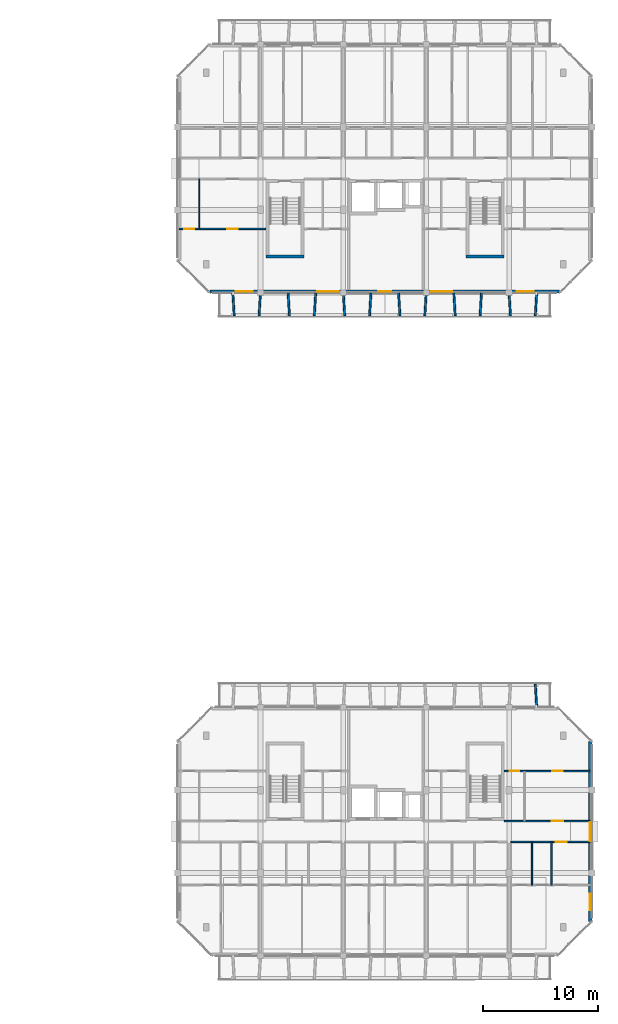
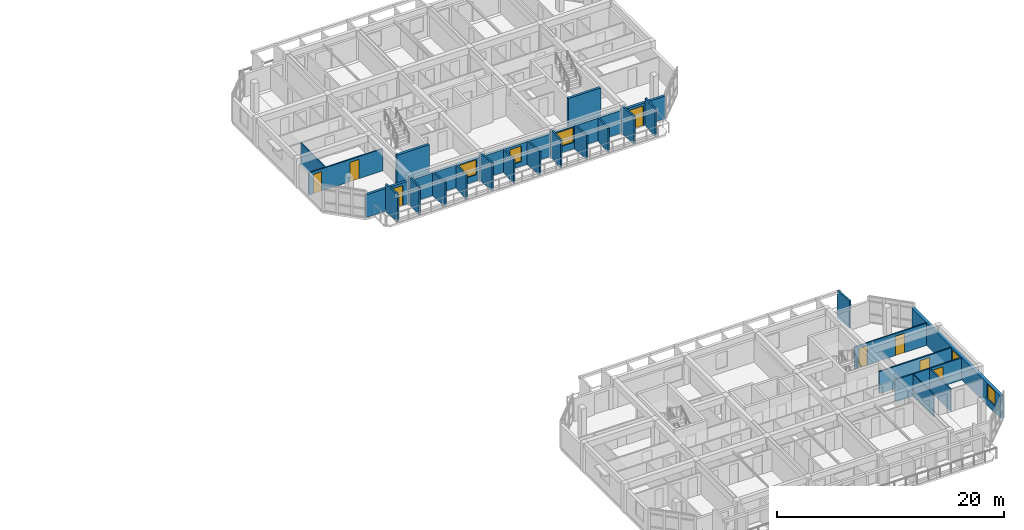
# One storey, part 25 of 40: 24 walls, 8 doors, 5 windows, 13 openings.
"""IFC4 building model written with IfcOpenShell, lengths in metres."""

from ifc_helpers import new_model, si_unit, direction, frame, frame_2d, origin, place, context, subcontext, project, spatial, rectangle, extrude, material, layer, layer_set, type_object, element, fill, save


model = new_model("IFC4")

# Units and contexts
model_context = context("Model", 3, precision=1e-05, world=origin(), true_north=direction((0.0, 1.0)))
body_context = subcontext(model_context, "Body", "Model", "MODEL_VIEW")
ifc_project = project(units=[si_unit("LENGTHUNIT", "METRE"), si_unit("AREAUNIT", "SQUARE_METRE"), si_unit("VOLUMEUNIT", "CUBIC_METRE"), si_unit("PLANEANGLEUNIT", "RADIAN"), si_unit("MASSUNIT", "GRAM", prefix="KILO")], contexts=[model_context])

# Site, building, storey
site_placement = place(None, origin())
site = spatial("IfcSite", under=ifc_project, at=site_placement, CompositionType="ELEMENT")
building_placement = place(site_placement, origin())
building = spatial("IfcBuilding", under=site, at=building_placement, Name="Ochrevale Crest", CompositionType="ELEMENT")
storey_placement = place(building_placement, frame((0.0, 0.0, 27.60009765625)))
storey = spatial("IfcBuildingStorey", under=building, at=storey_placement, Name="L08", CompositionType="ELEMENT", Elevation=27.60009765625)

# Wall, opening, door
ifc_material_1 = material(Name="Gypsum plasterboard", Category="gypsum")
ifc_layer_1 = layer(ifc_material_1, 0.139892578125)
ifc_layer_set_1 = layer_set([ifc_layer_1], Name="Gypsum plasterboard")
wall_type_1 = type_object("IfcWallType", Name="WL-COR-140", PredefinedType="PARTITIONING", material=ifc_layer_set_1)
wall_1_placement = place(storey_placement, frame((158.5400390625, 24.300048828125, 0.0), z_axis=(0.0, 0.0, 1.0), x_axis=(1.0, 0.0, 0.0)))
wall_1 = element("IfcWall", 1, at=wall_1_placement, inside=storey, type_object=wall_type_1, Name="Apartment C-L08-U5 corridor wall", PredefinedType="PARTITIONING", context=body_context, shape_type="SweptSolid", body=[
    extrude(rectangle(XDim=6.919921875, YDim=0.139892578125, at=frame_2d((3.4599609375, 0.0))), origin(), (0.0, 0.0, 1.0), 2.3798828125),
])
opening_1_placement = place(wall_1_placement, frame((3.89501953125, 0.0, 0.0)))
opening_1 = element("IfcOpeningElement", 2, at=opening_1_placement, cuts=wall_1, Name="Opening FD01", PredefinedType="OPENING", context=body_context, shape_type="SweptSolid", body=[
    extrude(rectangle(XDim=0.97998046875, YDim=2.10009765625, at=frame_2d((0.489990234375, 1.050048828125))), frame((0.0, 0.080078125, 0.0), z_axis=(0.0, -1.0, 0.0), x_axis=(1.0, 0.0, 0.0)), (0.0, 0.0, 1.0), 0.159912109375),
])
ifc_material_2 = material(Name="Solid-core FSC hardwood", Category="wood")
door_type_1 = type_object("IfcDoorType", Name="DR-APT-950", OperationType="NOTDEFINED", PredefinedType="DOOR", material=ifc_material_2)
door_1_placement = place(opening_1_placement, origin())
door_1 = element("IfcDoor", 3, at=door_1_placement, inside=storey, type_object=door_type_1, Name="Apartment C-L08-U5 entrance door", OperationType="SINGLE_SWING_LEFT", OverallHeight=2.10009765625, OverallWidth=0.97998046875, PredefinedType="DOOR", context=body_context, shape_type="SweptSolid", body=[
    extrude(rectangle(XDim=0.97998046875, YDim=2.10009765625, at=frame_2d((0.489990234375, 1.050048828125))), frame((0.0, 0.02490234375, 0.0), z_axis=(0.0, -1.0, 0.0), x_axis=(1.0, 0.0, 0.0)), (0.0, 0.0, 1.0), 0.050048828125),
])
fill(opening_1, door_1)

wall_2_placement = place(storey_placement, frame((157.989990234375, 26.10009765625, 0.0), z_axis=(0.0, 0.0, 1.0), x_axis=(1.0, 0.0, 0.0)))
wall_2 = element("IfcWall", 4, at=wall_2_placement, inside=storey, type_object=wall_type_1, Name="Suite C-L08-CE corridor wall", PredefinedType="PARTITIONING", context=body_context, shape_type="SweptSolid", body=[
    extrude(rectangle(XDim=7.469970703125, YDim=0.139892578125, at=frame_2d((3.73486328125, 0.0))), origin(), (0.0, 0.0, 1.0), 2.3798828125),
])
opening_2_placement = place(wall_2_placement, frame((5.10009765625, 0.0, 0.0), z_axis=(0.0, 0.0, 1.0), x_axis=(-1.0, 0.0, 0.0)))
opening_2 = element("IfcOpeningElement", 5, at=opening_2_placement, cuts=wall_2, Name="Opening FD01", PredefinedType="OPENING", context=body_context, shape_type="SweptSolid", body=[
    extrude(rectangle(XDim=0.97998046875, YDim=2.10009765625, at=frame_2d((0.489990234375, 1.050048828125))), frame((0.0, 0.080078125, 0.0), z_axis=(0.0, -1.0, 0.0), x_axis=(1.0, 0.0, 0.0)), (0.0, 0.0, 1.0), 0.159912109375),
])
door_2_placement = place(opening_2_placement, origin())
door_2 = element("IfcDoor", 6, at=door_2_placement, inside=storey, type_object=door_type_1, Name="Suite C-L08-CE entrance door", OperationType="SINGLE_SWING_RIGHT", OverallHeight=2.10009765625, OverallWidth=0.97998046875, PredefinedType="DOOR", context=body_context, shape_type="SweptSolid", body=[
    extrude(rectangle(XDim=0.97998046875, YDim=2.10009765625, at=frame_2d((0.489990234375, 1.050048828125))), frame((0.0, 0.02490234375, 0.0), z_axis=(0.0, -1.0, 0.0), x_axis=(1.0, 0.0, 0.0)), (0.0, 0.0, 1.0), 0.050048828125),
])
fill(opening_2, door_2)

# Walls
ifc_material_3 = material(Name="Precast concrete C50/60", Category="concrete")
ifc_layer_2 = layer(ifc_material_3, 0.2548828125)
ifc_layer_set_2 = layer_set([ifc_layer_2], Name="Precast concrete C50/60")
wall_type_2 = type_object("IfcWallType", Name="WL-CORE-255", PredefinedType="SHEAR", material=ifc_layer_set_2)
for number, where, z_axis, x_axis, name in (
    (7, (137.2724609375, 75.14990234375, 0.0), (0.0, 0.0, 1.0), (1.0, 0.0, 0.0), "Block D L08 Stair 1 precast core shear wall S"),
    (8, (154.672607421875, 75.14990234375, 0.0), (0.0, 0.0, 1.0), (1.0, 0.0, 0.0), "Block D L08 Stair 2 precast core shear wall S"),
):
    element("IfcWall", number, at=place(storey_placement, frame(where, z_axis=z_axis, x_axis=x_axis)), inside=storey, type_object=wall_type_2, Name=name, PredefinedType="SHEAR", context=body_context, shape_type="SweptSolid", body=[
        extrude(rectangle(XDim=3.304931640625, YDim=0.2548828125, at=frame_2d((1.65234375, 0.0))), origin(), (0.0, 0.0, 1.0), 3.14990234375),
    ])

# Wall, openings, windows
ifc_material_4 = material(Name="Clay face brickwork", Category="masonry")
ifc_layer_3 = layer(ifc_material_4, 0.2900390625)
ifc_layer_set_3 = layer_set([ifc_layer_3], Name="Clay face brickwork")
wall_type_3 = type_object("IfcWallType", Name="WL-EXT-BRICK-290", PredefinedType="SOLIDWALL", material=ifc_layer_set_3)
wall_3_placement = place(storey_placement, frame((165.455078125, 17.39990234375, 0.0), z_axis=(0.0, 0.0, 1.0), x_axis=(0.0, 1.0, 0.0)))
wall_3 = element("IfcWall", 9, at=wall_3_placement, inside=storey, type_object=wall_type_3, Name="Block C L08 external facade wall E3", PredefinedType="SOLIDWALL", context=body_context, shape_type="SweptSolid", body=[
    extrude(rectangle(XDim=15.60009765625, YDim=0.2900390625, at=frame_2d((7.800048828125, 0.0))), origin(), (0.0, 0.0, 1.0), 2.429931640625),
])
opening_3_placement = place(wall_3_placement, frame((6.97509765625, 0.0, 1.050048828125)))
opening_3 = element("IfcOpeningElement", 10, at=opening_3_placement, cuts=wall_3, Name="Opening W19", PredefinedType="OPENING", context=body_context, shape_type="SweptSolid", body=[
    extrude(rectangle(XDim=1.64990234375, YDim=1.14990234375, at=frame_2d((0.824951171875, 0.574951171875))), frame((0.0, 0.155029296875, 0.0), z_axis=(0.0, -1.0, 0.0), x_axis=(1.0, 0.0, 0.0)), (0.0, 0.0, 1.0), 0.31005859375),
])
opening_4_placement = place(wall_3_placement, frame((0.97998046875, 0.0, 0.719970703125)))
opening_4 = element("IfcOpeningElement", 11, at=opening_4_placement, cuts=wall_3, Name="Opening W31", PredefinedType="OPENING", context=body_context, shape_type="SweptSolid", body=[
    extrude(rectangle(XDim=1.419921875, YDim=1.60009765625, at=frame_2d((0.7099609375, 0.800048828125))), frame((0.0, 0.155029296875, 0.0), z_axis=(0.0, -1.0, 0.0), x_axis=(1.0, 0.0, 0.0)), (0.0, 0.0, 1.0), 0.31005859375),
])
ifc_material_5 = material(Name="Anodised aluminium 6063-T5 and low-E double glazing", Category="aluminium")
window_type_1 = type_object("IfcWindowType", Name="WIN-W19", PartitioningType="SINGLE_PANEL", PredefinedType="WINDOW", material=ifc_material_5)
window_1_placement = place(opening_3_placement, origin())
window_1 = element("IfcWindow", 12, at=window_1_placement, inside=storey, type_object=window_type_1, Name="Block C L08 corridor end daylight window E", OverallHeight=1.14990234375, OverallWidth=1.64990234375, PartitioningType="SINGLE_PANEL", PredefinedType="WINDOW", context=body_context, shape_type="SweptSolid", body=[
    extrude(rectangle(XDim=1.64990234375, YDim=1.14990234375, at=frame_2d((0.824951171875, 0.574951171875))), frame((0.0, 0.030029296875, 0.0), z_axis=(0.0, -1.0, 0.0), x_axis=(1.0, 0.0, 0.0)), (0.0, 0.0, 1.0), 0.06005859375),
])
fill(opening_3, window_1)
window_type_2 = type_object("IfcWindowType", Name="WIN-W31", PartitioningType="SINGLE_PANEL", PredefinedType="WINDOW", material=ifc_material_5)
window_2_placement = place(opening_4_placement, origin())
window_2 = element("IfcWindow", 13, at=window_2_placement, inside=storey, type_object=window_type_2, Name="Block C L08 side suite window E", OverallHeight=1.60009765625, OverallWidth=1.419921875, PartitioningType="SINGLE_PANEL", PredefinedType="WINDOW", context=body_context, shape_type="SweptSolid", body=[
    extrude(rectangle(XDim=1.419921875, YDim=1.60009765625, at=frame_2d((0.7099609375, 0.800048828125))), frame((0.0, 0.030029296875, 0.0), z_axis=(0.0, -1.0, 0.0), x_axis=(1.0, 0.0, 0.0)), (0.0, 0.0, 1.0), 0.06005859375),
])
fill(opening_4, window_2)

# Wall, openings, doors, windows
ifc_material_6 = material(Name="Precast concrete C40/50", Category="concrete")
ifc_layer_4 = layer(ifc_material_6, 0.25)
ifc_layer_set_4 = layer_set([ifc_layer_4], Name="Precast concrete C40/50")
wall_type_4 = type_object("IfcWallType", Name="WL-EXT-GOLD-250", PredefinedType="SOLIDWALL", material=ifc_layer_set_4)
wall_4_placement = place(storey_placement, frame((132.39990234375, 72.125, 0.0), z_axis=(0.0, 0.0, 1.0), x_axis=(1.0, 0.0, 0.0)))
wall_4 = element("IfcWall", 14, at=wall_4_placement, inside=storey, type_object=wall_type_4, Name="Block D L08 external facade wall E1", PredefinedType="SOLIDWALL", context=body_context, shape_type="SweptSolid", body=[
    extrude(rectangle(XDim=30.400146484375, YDim=0.25, at=frame_2d((15.2001953125, 0.0))), origin(), (0.0, 0.0, 1.0), 2.429931640625),
])
opening_5_placement = place(wall_4_placement, frame((3.75, 0.0, 0.0), z_axis=(0.0, 0.0, 1.0), x_axis=(-1.0, 0.0, 0.0)))
opening_5 = element("IfcOpeningElement", 15, at=opening_5_placement, cuts=wall_4, Name="Opening BD01", PredefinedType="OPENING", context=body_context, shape_type="SweptSolid", body=[
    extrude(rectangle(XDim=1.5, YDim=2.14990234375, at=frame_2d((0.75, 1.074951171875))), frame((0.0, 0.135009765625, 0.0), z_axis=(0.0, -1.0, 0.0), x_axis=(1.0, 0.0, 0.0)), (0.0, 0.0, 1.0), 0.27001953125),
])
opening_6_placement = place(wall_4_placement, frame((28.14990234375, 0.0, 0.0), z_axis=(0.0, 0.0, 1.0), x_axis=(-1.0, 0.0, 0.0)))
opening_6 = element("IfcOpeningElement", 16, at=opening_6_placement, cuts=wall_4, Name="Opening BD01", PredefinedType="OPENING", context=body_context, shape_type="SweptSolid", body=[
    extrude(rectangle(XDim=1.5, YDim=2.14990234375, at=frame_2d((0.75, 1.074951171875))), frame((0.0, 0.135009765625, 0.0), z_axis=(0.0, -1.0, 0.0), x_axis=(1.0, 0.0, 0.0)), (0.0, 0.0, 1.0), 0.27001953125),
])
opening_7_placement = place(wall_4_placement, frame((14.625, 0.0, 0.5)))
opening_7 = element("IfcOpeningElement", 17, at=opening_7_placement, cuts=wall_4, Name="Opening W32", PredefinedType="OPENING", context=body_context, shape_type="SweptSolid", body=[
    extrude(rectangle(XDim=1.14990234375, YDim=1.679931640625, at=frame_2d((0.574951171875, 0.83984375))), frame((0.0, 0.135009765625, 0.0), z_axis=(0.0, -1.0, 0.0), x_axis=(1.0, 0.0, 0.0)), (0.0, 0.0, 1.0), 0.27001953125),
])
opening_8_placement = place(wall_4_placement, frame((19.215087890625, 0.0, 0.699951171875)))
opening_8 = element("IfcOpeningElement", 18, at=opening_8_placement, cuts=wall_4, Name="Opening W11", PredefinedType="OPENING", context=body_context, shape_type="SweptSolid", body=[
    extrude(rectangle(XDim=1.860107421875, YDim=1.60009765625, at=frame_2d((0.93017578125, 0.800048828125))), frame((0.0, 0.135009765625, 0.0), z_axis=(0.0, -1.0, 0.0), x_axis=(1.0, 0.0, 0.0)), (0.0, 0.0, 1.0), 0.27001953125),
])
opening_9_placement = place(wall_4_placement, frame((9.324951171875, 0.0, 0.699951171875)))
opening_9 = element("IfcOpeningElement", 19, at=opening_9_placement, cuts=wall_4, Name="Opening W11", PredefinedType="OPENING", context=body_context, shape_type="SweptSolid", body=[
    extrude(rectangle(XDim=1.860107421875, YDim=1.60009765625, at=frame_2d((0.93017578125, 0.800048828125))), frame((0.0, 0.135009765625, 0.0), z_axis=(0.0, -1.0, 0.0), x_axis=(1.0, 0.0, 0.0)), (0.0, 0.0, 1.0), 0.27001953125),
])
ifc_material_7 = material(Name="Anodised aluminium 6063-T5 and toughened glass", Category="aluminium")
door_type_2 = type_object("IfcDoorType", Name="DR-BAL-1500", OperationType="NOTDEFINED", PredefinedType="DOOR", material=ifc_material_7)
door_3_placement = place(opening_5_placement, origin())
door_3 = element("IfcDoor", 20, at=door_3_placement, inside=storey, type_object=door_type_2, Name="Block D L08 balcony door S1", OperationType="SINGLE_SWING_LEFT", OverallHeight=2.14990234375, OverallWidth=1.5, PredefinedType="DOOR", context=body_context, shape_type="SweptSolid", body=[
    extrude(rectangle(XDim=1.5, YDim=2.14990234375, at=frame_2d((0.75, 1.074951171875))), frame((0.0, 0.02490234375, 0.0), z_axis=(0.0, -1.0, 0.0), x_axis=(1.0, 0.0, 0.0)), (0.0, 0.0, 1.0), 0.050048828125),
])
fill(opening_5, door_3)
door_4_placement = place(opening_6_placement, origin())
door_4 = element("IfcDoor", 21, at=door_4_placement, inside=storey, type_object=door_type_2, Name="Block D L08 balcony door S5", OperationType="SINGLE_SWING_RIGHT", OverallHeight=2.14990234375, OverallWidth=1.5, PredefinedType="DOOR", context=body_context, shape_type="SweptSolid", body=[
    extrude(rectangle(XDim=1.5, YDim=2.14990234375, at=frame_2d((0.75, 1.074951171875))), frame((0.0, 0.02490234375, 0.0), z_axis=(0.0, -1.0, 0.0), x_axis=(1.0, 0.0, 0.0)), (0.0, 0.0, 1.0), 0.050048828125),
])
fill(opening_6, door_4)
window_type_3 = type_object("IfcWindowType", Name="WIN-W11", PartitioningType="SINGLE_PANEL", PredefinedType="WINDOW", material=ifc_material_5)
window_3_placement = place(opening_8_placement, origin())
window_3 = element("IfcWindow", 22, at=window_3_placement, inside=storey, type_object=window_type_3, Name="Block D L08 Suite D-L08-ME Garden Alcove Studio window", OverallHeight=1.60009765625, OverallWidth=1.860107421875, PartitioningType="SINGLE_PANEL", PredefinedType="WINDOW", context=body_context, shape_type="SweptSolid", body=[
    extrude(rectangle(XDim=1.860107421875, YDim=1.60009765625, at=frame_2d((0.93017578125, 0.800048828125))), frame((0.0, 0.030029296875, 0.0), z_axis=(0.0, -1.0, 0.0), x_axis=(1.0, 0.0, 0.0)), (0.0, 0.0, 1.0), 0.06005859375),
])
fill(opening_8, window_3)
window_4_placement = place(opening_9_placement, origin())
window_4 = element("IfcWindow", 23, at=window_4_placement, inside=storey, type_object=window_type_3, Name="Block D L08 Suite D-L08-MW Courtyard Studio Living window", OverallHeight=1.60009765625, OverallWidth=1.860107421875, PartitioningType="SINGLE_PANEL", PredefinedType="WINDOW", context=body_context, shape_type="SweptSolid", body=[
    extrude(rectangle(XDim=1.860107421875, YDim=1.60009765625, at=frame_2d((0.93017578125, 0.800048828125))), frame((0.0, 0.030029296875, 0.0), z_axis=(0.0, -1.0, 0.0), x_axis=(1.0, 0.0, 0.0)), (0.0, 0.0, 1.0), 0.06005859375),
])
fill(opening_9, window_4)
window_type_4 = type_object("IfcWindowType", Name="WIN-W32", PartitioningType="SINGLE_PANEL", PredefinedType="WINDOW", material=ifc_material_5)
window_5_placement = place(opening_7_placement, origin())
window_5 = element("IfcWindow", 24, at=window_5_placement, inside=storey, type_object=window_type_4, Name="Block D L08 core lancet window", OverallHeight=1.679931640625, OverallWidth=1.14990234375, PartitioningType="SINGLE_PANEL", PredefinedType="WINDOW", context=body_context, shape_type="SweptSolid", body=[
    extrude(rectangle(XDim=1.14990234375, YDim=1.679931640625, at=frame_2d((0.574951171875, 0.83984375))), frame((0.0, 0.030029296875, 0.0), z_axis=(0.0, -1.0, 0.0), x_axis=(1.0, 0.0, 0.0)), (0.0, 0.0, 1.0), 0.06005859375),
])
fill(opening_7, window_5)

# Walls
ifc_layer_5 = layer(ifc_material_6, 0.1650390625)
ifc_layer_set_5 = layer_set([ifc_layer_5], Name="Precast concrete C40/50")
wall_type_5 = type_object("IfcWallType", Name="WL-HC-CHEEK-165", PredefinedType="ELEMENTEDWALL", material=ifc_layer_set_5)
for number, where, z_axis, x_axis, name in (
    (25, (160.800048828125, 36.02001953125, 0.0), (0.0, 0.0, 1.0), (-0.061170732449, 0.998127317276, 0.0), "Block C L08 N precast honeycomb cheek 12"),
    (26, (134.39990234375, 71.97998046875, 0.0), (0.0, 0.0, 1.0), (0.061170732449, -0.998127317276, 0.0), "Block D L08 S precast honeycomb cheek 1"),
    (27, (136.800048828125, 71.97998046875, 0.0), (0.0, 0.0, 1.0), (-0.061170732449, -0.998127317276, 0.0), "Block D L08 S precast honeycomb cheek 2"),
):
    element("IfcWall", number, at=place(storey_placement, frame(where, z_axis=z_axis, x_axis=x_axis)), inside=storey, type_object=wall_type_5, Name=name, PredefinedType="ELEMENTEDWALL", context=body_context, shape_type="SweptSolid", body=[
        extrude(rectangle(XDim=1.963623046875, YDim=0.1650390625, at=frame_2d((0.98193359375, 0.0))), origin(), (0.0, 0.0, 1.0), 2.949951171875),
    ])
for number, where, z_axis, x_axis, name in (
    (28, (139.199951171875, 71.97998046875, 0.0), (0.0, 0.0, 1.0), (0.061170732449, -0.998127317276, 0.0), "Block D L08 S precast honeycomb cheek 3"),
    (29, (141.60009765625, 71.97998046875, 0.0), (0.0, 0.0, 1.0), (-0.061170732449, -0.998127317276, 0.0), "Block D L08 S precast honeycomb cheek 4"),
):
    element("IfcWall", number, at=place(storey_placement, frame(where, z_axis=z_axis, x_axis=x_axis)), inside=storey, type_object=wall_type_5, Name=name, PredefinedType="ELEMENTEDWALL", context=body_context, shape_type="SweptSolid", body=[
        extrude(rectangle(XDim=1.963623046875, YDim=0.1650390625, at=frame_2d((0.98193359375, 0.0))), origin(), (0.0, 0.0, 1.0), 2.52978515625),
    ])
wall_5_placement = place(storey_placement, frame((144.0, 71.97998046875, 0.0), z_axis=(0.0, 0.0, 1.0), x_axis=(0.061170732449, -0.998127317276, 0.0)))
element("IfcWall", 30, at=wall_5_placement, inside=storey, type_object=wall_type_5, Name="Block D L08 S precast honeycomb cheek 5", PredefinedType="ELEMENTEDWALL", context=body_context, shape_type="SweptSolid", body=[
    extrude(rectangle(XDim=1.963623046875, YDim=0.1650390625, at=frame_2d((0.98193359375, 0.0))), origin(), (0.0, 0.0, 1.0), 2.949951171875),
])
for number, where, z_axis, x_axis, name in (
    (31, (146.39990234375, 71.97998046875, 0.0), (0.0, 0.0, 1.0), (-0.061046865508, -0.998134900808, 0.0), "Block D L08 S precast honeycomb cheek 6"),
    (32, (148.800048828125, 71.97998046875, 0.0), (0.0, 0.0, 1.0), (0.061046865508, -0.998134900808, 0.0), "Block D L08 S precast honeycomb cheek 7"),
):
    element("IfcWall", number, at=place(storey_placement, frame(where, z_axis=z_axis, x_axis=x_axis)), inside=storey, type_object=wall_type_5, Name=name, PredefinedType="ELEMENTEDWALL", context=body_context, shape_type="SweptSolid", body=[
        extrude(rectangle(XDim=1.963623046875, YDim=0.1650390625, at=frame_2d((0.98193359375, 0.0))), origin(), (0.0, 0.0, 1.0), 2.52978515625),
    ])
wall_6_placement = place(storey_placement, frame((151.199951171875, 71.97998046875, 0.0), z_axis=(0.0, 0.0, 1.0), x_axis=(-0.061046865508, -0.998134900808, 0.0)))
element("IfcWall", 33, at=wall_6_placement, inside=storey, type_object=wall_type_5, Name="Block D L08 S precast honeycomb cheek 8", PredefinedType="ELEMENTEDWALL", context=body_context, shape_type="SweptSolid", body=[
    extrude(rectangle(XDim=1.963623046875, YDim=0.1650390625, at=frame_2d((0.98193359375, 0.0))), origin(), (0.0, 0.0, 1.0), 2.949951171875),
])
for number, where, z_axis, x_axis, name in (
    (34, (153.60009765625, 71.97998046875, 0.0), (0.0, 0.0, 1.0), (0.061046865508, -0.998134900808, 0.0), "Block D L08 S precast honeycomb cheek 9"),
    (35, (156.0, 71.97998046875, 0.0), (0.0, 0.0, 1.0), (-0.061170732449, -0.998127317276, 0.0), "Block D L08 S precast honeycomb cheek 10"),
):
    element("IfcWall", number, at=place(storey_placement, frame(where, z_axis=z_axis, x_axis=x_axis)), inside=storey, type_object=wall_type_5, Name=name, PredefinedType="ELEMENTEDWALL", context=body_context, shape_type="SweptSolid", body=[
        extrude(rectangle(XDim=1.963623046875, YDim=0.1650390625, at=frame_2d((0.98193359375, 0.0))), origin(), (0.0, 0.0, 1.0), 2.5498046875),
    ])
for number, where, z_axis, x_axis, name in (
    (36, (158.39990234375, 71.97998046875, 0.0), (0.0, 0.0, 1.0), (0.061170732449, -0.998127317276, 0.0), "Block D L08 S precast honeycomb cheek 11"),
    (37, (160.800048828125, 71.97998046875, 0.0), (0.0, 0.0, 1.0), (-0.061170732449, -0.998127317276, 0.0), "Block D L08 S precast honeycomb cheek 12"),
):
    element("IfcWall", number, at=place(storey_placement, frame(where, z_axis=z_axis, x_axis=x_axis)), inside=storey, type_object=wall_type_5, Name=name, PredefinedType="ELEMENTEDWALL", context=body_context, shape_type="SweptSolid", body=[
        extrude(rectangle(XDim=1.963623046875, YDim=0.1650390625, at=frame_2d((0.98193359375, 0.0))), origin(), (0.0, 0.0, 1.0), 2.949951171875),
    ])
ifc_layer_6 = layer(ifc_material_1, 0.1201171875)
ifc_layer_set_6 = layer_set([ifc_layer_6], Name="Gypsum plasterboard")
wall_type_6 = type_object("IfcWallType", Name="WL-PART-120", PredefinedType="PARTITIONING", material=ifc_layer_set_6)
wall_7_placement = place(storey_placement, frame((162.10009765625, 20.550048828125, 0.0), z_axis=(0.0, 0.0, 1.0), x_axis=(0.0, 1.0, 0.0)))
element("IfcWall", 38, at=wall_7_placement, inside=storey, type_object=wall_type_6, Name="Apartment C-L08-U5 kitchen-foyer wall", PredefinedType="PARTITIONING", context=body_context, shape_type="SweptSolid", body=[
    extrude(rectangle(XDim=3.75, YDim=0.1201171875, at=frame_2d((1.875, 0.0))), origin(), (0.0, 0.0, 1.0), 2.3798828125),
])

# Wall, openings, doors
wall_8_placement = place(storey_placement, frame((157.989990234375, 30.449951171875, 0.0), z_axis=(0.0, 0.0, 1.0), x_axis=(1.0, 0.0, 0.0)))
wall_8 = element("IfcWall", 39, at=wall_8_placement, inside=storey, type_object=wall_type_6, Name="Suite C-L08-CE internal wall", PredefinedType="PARTITIONING", context=body_context, shape_type="SweptSolid", body=[
    extrude(rectangle(XDim=7.469970703125, YDim=0.1201171875, at=frame_2d((3.73486328125, 0.0))), origin(), (0.0, 0.0, 1.0), 2.3798828125),
])
opening_10_placement = place(wall_8_placement, frame((0.449951171875, 0.0, 0.0)))
opening_10 = element("IfcOpeningElement", 40, at=opening_10_placement, cuts=wall_8, Name="Opening ID01", PredefinedType="OPENING", context=body_context, shape_type="SweptSolid", body=[
    extrude(rectangle(XDim=0.85009765625, YDim=2.080078125, at=frame_2d((0.425048828125, 1.0400390625))), frame((0.0, 0.070068359375, 0.0), z_axis=(0.0, -1.0, 0.0), x_axis=(1.0, 0.0, 0.0)), (0.0, 0.0, 1.0), 0.14013671875),
])
opening_11_placement = place(wall_8_placement, frame((5.06982421875, 0.0, 0.0), z_axis=(0.0, 0.0, 1.0), x_axis=(-1.0, 0.0, 0.0)))
opening_11 = element("IfcOpeningElement", 41, at=opening_11_placement, cuts=wall_8, Name="Opening ID04", PredefinedType="OPENING", context=body_context, shape_type="SweptSolid", body=[
    extrude(rectangle(XDim=0.919921875, YDim=2.080078125, at=frame_2d((0.4599609375, 1.0400390625))), frame((0.0, 0.070068359375, 0.0), z_axis=(0.0, -1.0, 0.0), x_axis=(1.0, 0.0, 0.0)), (0.0, 0.0, 1.0), 0.14013671875),
])
door_type_3 = type_object("IfcDoorType", Name="DR-INT-920", OperationType="NOTDEFINED", PredefinedType="DOOR", material=ifc_material_2)
door_5_placement = place(opening_11_placement, origin())
door_5 = element("IfcDoor", 42, at=door_5_placement, inside=storey, type_object=door_type_3, Name="Suite C-L08-CE Master Bedroom door", OperationType="SINGLE_SWING_RIGHT", OverallHeight=2.080078125, OverallWidth=0.919921875, PredefinedType="DOOR", context=body_context, shape_type="SweptSolid", body=[
    extrude(rectangle(XDim=0.919921875, YDim=2.080078125, at=frame_2d((0.4599609375, 1.0400390625))), frame((0.0, 0.02490234375, 0.0), z_axis=(0.0, -1.0, 0.0), x_axis=(1.0, 0.0, 0.0)), (0.0, 0.0, 1.0), 0.050048828125),
])
fill(opening_11, door_5)
door_type_4 = type_object("IfcDoorType", Name="DR-WC-850", OperationType="NOTDEFINED", PredefinedType="DOOR", material=ifc_material_2)
door_6_placement = place(opening_10_placement, origin())
door_6 = element("IfcDoor", 43, at=door_6_placement, inside=storey, type_object=door_type_4, Name="Suite C-L08-CE Bathroom door", OperationType="SINGLE_SWING_LEFT", OverallHeight=2.080078125, OverallWidth=0.85009765625, PredefinedType="DOOR", context=body_context, shape_type="SweptSolid", body=[
    extrude(rectangle(XDim=0.85009765625, YDim=2.080078125, at=frame_2d((0.425048828125, 1.0400390625))), frame((0.0, 0.02490234375, 0.0), z_axis=(0.0, -1.0, 0.0), x_axis=(1.0, 0.0, 0.0)), (0.0, 0.0, 1.0), 0.050048828125),
])
fill(opening_10, door_6)

wall_9_placement = place(storey_placement, frame((129.739990234375, 77.550048828125, 0.0), z_axis=(0.0, 0.0, 1.0), x_axis=(1.0, 0.0, 0.0)))
wall_9 = element("IfcWall", 44, at=wall_9_placement, inside=storey, type_object=wall_type_6, Name="Suite D-L08-CW internal wall", PredefinedType="PARTITIONING", context=body_context, shape_type="SweptSolid", body=[
    extrude(rectangle(XDim=7.52001953125, YDim=0.1201171875, at=frame_2d((3.760009765625, 0.0))), origin(), (0.0, 0.0, 1.0), 2.3798828125),
])
opening_12_placement = place(wall_9_placement, frame((1.300048828125, 0.0, 0.0), z_axis=(0.0, 0.0, 1.0), x_axis=(-1.0, 0.0, 0.0)))
opening_12 = element("IfcOpeningElement", 45, at=opening_12_placement, cuts=wall_9, Name="Opening ID01", PredefinedType="OPENING", context=body_context, shape_type="SweptSolid", body=[
    extrude(rectangle(XDim=0.85009765625, YDim=2.080078125, at=frame_2d((0.425048828125, 1.0400390625))), frame((0.0, 0.070068359375, 0.0), z_axis=(0.0, -1.0, 0.0), x_axis=(1.0, 0.0, 0.0)), (0.0, 0.0, 1.0), 0.14013671875),
])
opening_13_placement = place(wall_9_placement, frame((4.175048828125, 0.0, 0.0)))
opening_13 = element("IfcOpeningElement", 46, at=opening_13_placement, cuts=wall_9, Name="Opening ID04", PredefinedType="OPENING", context=body_context, shape_type="SweptSolid", body=[
    extrude(rectangle(XDim=0.919921875, YDim=2.080078125, at=frame_2d((0.4599609375, 1.0400390625))), frame((0.0, 0.070068359375, 0.0), z_axis=(0.0, -1.0, 0.0), x_axis=(1.0, 0.0, 0.0)), (0.0, 0.0, 1.0), 0.14013671875),
])
door_7_placement = place(opening_13_placement, origin())
door_7 = element("IfcDoor", 47, at=door_7_placement, inside=storey, type_object=door_type_3, Name="Suite D-L08-CW Quiet Reading Room door", OperationType="SINGLE_SWING_LEFT", OverallHeight=2.080078125, OverallWidth=0.919921875, PredefinedType="DOOR", context=body_context, shape_type="SweptSolid", body=[
    extrude(rectangle(XDim=0.919921875, YDim=2.080078125, at=frame_2d((0.4599609375, 1.0400390625))), frame((0.0, 0.02490234375, 0.0), z_axis=(0.0, -1.0, 0.0), x_axis=(1.0, 0.0, 0.0)), (0.0, 0.0, 1.0), 0.050048828125),
])
fill(opening_13, door_7)
door_8_placement = place(opening_12_placement, origin())
door_8 = element("IfcDoor", 48, at=door_8_placement, inside=storey, type_object=door_type_4, Name="Suite D-L08-CW Bathroom door", OperationType="SINGLE_SWING_RIGHT", OverallHeight=2.080078125, OverallWidth=0.85009765625, PredefinedType="DOOR", context=body_context, shape_type="SweptSolid", body=[
    extrude(rectangle(XDim=0.85009765625, YDim=2.080078125, at=frame_2d((0.425048828125, 1.0400390625))), frame((0.0, 0.02490234375, 0.0), z_axis=(0.0, -1.0, 0.0), x_axis=(1.0, 0.0, 0.0)), (0.0, 0.0, 1.0), 0.050048828125),
])
fill(opening_12, door_8)

# Walls
ifc_layer_7 = layer(ifc_material_1, 0.10009765625)
ifc_layer_set_7 = layer_set([ifc_layer_7], Name="Gypsum plasterboard")
wall_type_7 = type_object("IfcWallType", Name="WL-WET-100", PredefinedType="PARTITIONING", material=ifc_layer_set_7)
wall_10_placement = place(storey_placement, frame((160.389892578125, 20.550048828125, 0.0), z_axis=(0.0, 0.0, 1.0), x_axis=(0.0, 1.0, 0.0)))
element("IfcWall", 49, at=wall_10_placement, inside=storey, type_object=wall_type_7, Name="Apartment C-L08-U5 bath-kitchen wall", PredefinedType="PARTITIONING", context=body_context, shape_type="SweptSolid", body=[
    extrude(rectangle(XDim=3.75, YDim=0.10009765625, at=frame_2d((1.875, 0.0))), origin(), (0.0, 0.0, 1.0), 2.3798828125),
])
wall_11_placement = place(storey_placement, frame((131.489990234375, 77.550048828125, 0.0), z_axis=(0.0, 0.0, 1.0), x_axis=(0.0, 1.0, 0.0)))
element("IfcWall", 50, at=wall_11_placement, inside=storey, type_object=wall_type_7, Name="Suite D-L08-CW bathroom divider", PredefinedType="PARTITIONING", context=body_context, shape_type="SweptSolid", body=[
    extrude(rectangle(XDim=4.349853515625, YDim=0.10009765625, at=frame_2d((2.1748046875, 0.0))), origin(), (0.0, 0.0, 1.0), 2.3798828125),
])

save(model, "model.ifc")
